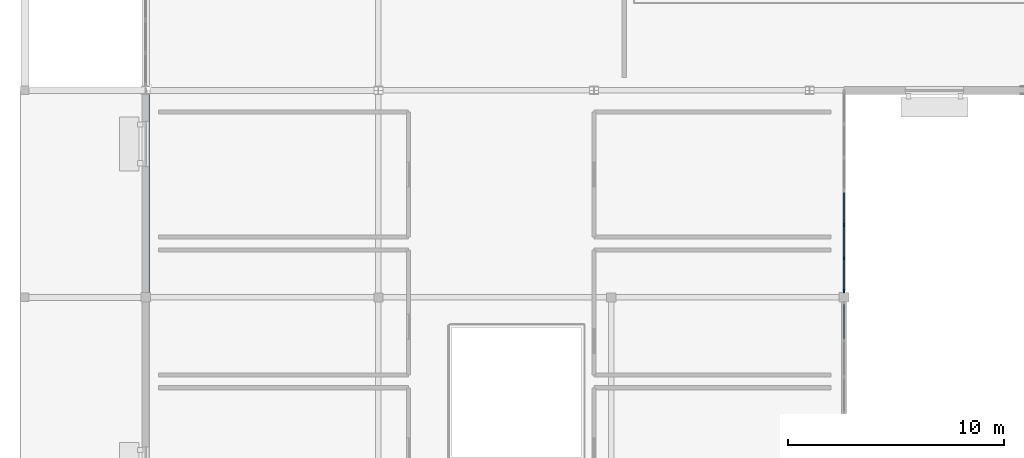
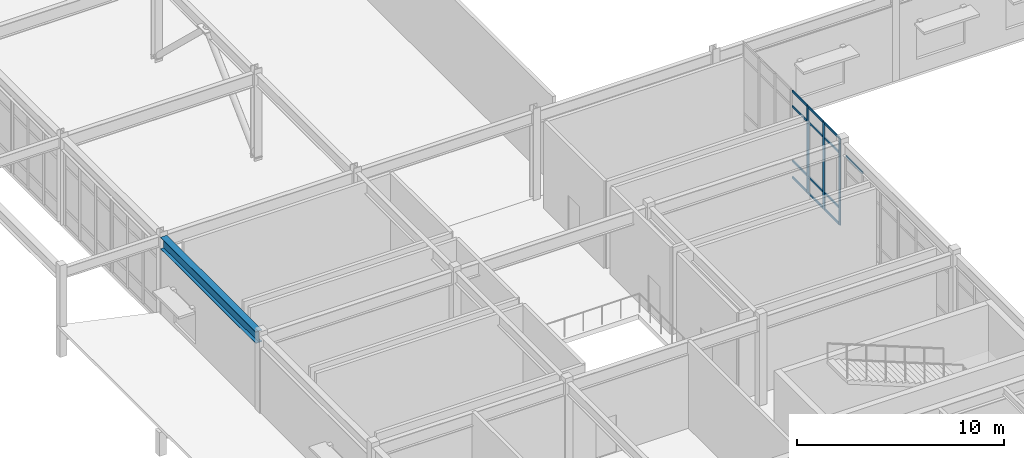
# One storey, part 11 of 72: 16 members, 1 beam, 2 elements without a shape of their own.
"""IFC4 building model written with IfcOpenShell, lengths in metres."""

from ifc_helpers import new_model, si_unit, direction, frame, origin, origin_2d, place, context, subcontext, project, spatial, rectangle, i_section, extrude, material, material_profile, profile_set, type_object, element, aggregate, save


model = new_model("IFC4")

# Units and contexts
model_context = context("Model", 3, precision=1e-05, world=origin(), true_north=direction((0.0, 1.0)))
body_context = subcontext(model_context, "Body", "Model", "MODEL_VIEW")
ifc_project = project(units=[si_unit("LENGTHUNIT", "METRE"), si_unit("AREAUNIT", "SQUARE_METRE"), si_unit("VOLUMEUNIT", "CUBIC_METRE"), si_unit("PLANEANGLEUNIT", "RADIAN"), si_unit("MASSUNIT", "GRAM", prefix="KILO")], contexts=[model_context])

# Site, building, storey
site_placement = place(None, origin())
site = spatial("IfcSite", under=ifc_project, at=site_placement, CompositionType="ELEMENT")
building_placement = place(site_placement, origin())
building = spatial("IfcBuilding", under=site, at=building_placement, Name="Veldera Park Congress Hotel", CompositionType="ELEMENT")
storey_placement = place(building_placement, frame((0.0, 0.0, 5.39990234375)))
storey = spatial("IfcBuildingStorey", under=building, at=storey_placement, Name="L01", CompositionType="ELEMENT", Elevation=5.39990234375)

# Beam
ifc_material_1 = material(Name="Steel ASTM A992 Gr.50", Category="steel")
ifc_material_profile_1 = material_profile(ifc_material_1, i_section(OverallWidth=0.35498046875, OverallDepth=0.696044921875, WebThickness=0.015380859375, FlangeThickness=0.02490234375, at=origin_2d()), Name="W27X146")
ifc_profile_set_1 = profile_set([ifc_material_profile_1], Name="Steel ASTM A992 Gr.50")
beam_type = type_object("IfcBeamType", Name="BM-W27E", PredefinedType="BEAM", material=ifc_profile_set_1)
beam_placement = place(storey_placement, frame((-78.199951171875, -30.375, 4.781982421875), z_axis=(0.0, 1.0, 0.0), x_axis=(-1.0, 0.0, 0.0)))
element("IfcBeam", 1, at=beam_placement, inside=storey, type_object=beam_type, Name="L01 Girder BM-W27E 667", PredefinedType="BEAM", context=body_context, shape_type="SweptSolid", body=[
    extrude(i_section(OverallWidth=0.35498046875, OverallDepth=0.696044921875, WebThickness=0.015380859375, FlangeThickness=0.02490234375, at=origin_2d()), origin(), (0.0, 0.0, 1.0), 9.1875),
])

# Curtain wall, members
ifc_material_2 = material(Name="Low-E Triple Insulating Glass Unit (SHGC 0.22)", Category="glass")
curtain_wall_type = type_object("IfcCurtainWallType", Name="CW-SPA", PredefinedType="NOTDEFINED", material=ifc_material_2)
curtain_wall_1_placement = place(storey_placement, origin())
curtain_wall_1 = element("IfcCurtainWall", 2, at=curtain_wall_1_placement, inside=storey, type_object=curtain_wall_type, Name="L01 Curtain Wall CW3-V3E-L01-043", PredefinedType="NOTDEFINED")
ifc_material_3 = material(Name="Anodised Aluminium Alloy 6063-T6", Category="aluminium")
ifc_material_profile_2 = material_profile(ifc_material_3, rectangle(XDim=0.06005859375, YDim=0.159912109375, at=origin_2d()), Name="ALU 60x160")
ifc_profile_set_2 = profile_set([ifc_material_profile_2], Name="Anodised Aluminium Alloy 6063-T6")
member_type_1 = type_object("IfcMemberType", Name="CWM-160", PredefinedType="MULLION", material=ifc_profile_set_2)
member_1_placement = place(storey_placement, frame((-45.800048828125, -30.304931640625, 0.0), z_axis=(0.0, 0.0, 1.0), x_axis=(-1.0, 0.0, 0.0)))
member_1 = element("IfcMember", 3, at=member_1_placement, type_object=member_type_1, Name="CW-SPA mullion 1", PredefinedType="MULLION", context=body_context, shape_type="SweptSolid", body=[
    extrude(rectangle(XDim=0.06005859375, YDim=0.159912109375, at=origin_2d()), origin(), (0.0, 0.0, 1.0), 5.130126953125),
])
member_2_placement = place(storey_placement, frame((-45.800048828125, -28.78662109375, 0.0), z_axis=(0.0, 0.0, 1.0), x_axis=(-1.0, 0.0, 0.0)))
member_2 = element("IfcMember", 4, at=member_2_placement, type_object=member_type_1, Name="CW-SPA mullion 2", PredefinedType="MULLION", context=body_context, shape_type="SweptSolid", body=[
    extrude(rectangle(XDim=0.06005859375, YDim=0.159912109375, at=origin_2d()), origin(), (0.0, 0.0, 1.0), 5.130126953125),
])
member_3_placement = place(storey_placement, frame((-45.800048828125, -27.23828125, 0.0), z_axis=(0.0, 0.0, 1.0), x_axis=(-1.0, 0.0, 0.0)))
member_3 = element("IfcMember", 5, at=member_3_placement, type_object=member_type_1, Name="CW-SPA mullion 3", PredefinedType="MULLION", context=body_context, shape_type="SweptSolid", body=[
    extrude(rectangle(XDim=0.06005859375, YDim=0.159912109375, at=origin_2d()), origin(), (0.0, 0.0, 1.0), 5.130126953125),
])

# Curtain wall, member
curtain_wall_2_placement = place(storey_placement, origin())
curtain_wall_2 = element("IfcCurtainWall", 6, at=curtain_wall_2_placement, inside=storey, type_object=curtain_wall_type, Name="L01 Curtain Wall CW3-V3E-L01-042", PredefinedType="NOTDEFINED")
ifc_material_profile_3 = material_profile(ifc_material_3, rectangle(XDim=0.06005859375, YDim=0.1201171875, at=origin_2d()), Name="ALU 60x120")
ifc_profile_set_3 = profile_set([ifc_material_profile_3], Name="Anodised Aluminium Alloy 6063-T6")
member_type_2 = type_object("IfcMemberType", Name="CWT-120", PredefinedType="USERDEFINED", material=ifc_profile_set_3)
member_4_placement = place(storey_placement, frame((-45.800048828125, -32.541748046875, 4.402099609375), z_axis=(0.0, 1.0, 0.0), x_axis=(-1.0, 0.0, 0.0)))
member_4 = element("IfcMember", 7, at=member_4_placement, type_object=member_type_2, Name="CW-SPA transom 3.4", ObjectType="TRANSOM", PredefinedType="USERDEFINED", context=body_context, shape_type="SweptSolid", body=[
    extrude(rectangle(XDim=0.06005859375, YDim=0.1201171875, at=origin_2d()), origin(), (0.0, 0.0, 1.0), 1.61669921875),
])
aggregate(curtain_wall_2, [member_4])

# Member
member_5_placement = place(storey_placement, frame((-45.800048828125, -30.27490234375, 0.030029296875), z_axis=(0.0, 1.0, 0.0), x_axis=(-1.0, 0.0, 0.0)))
member_5 = element("IfcMember", 8, at=member_5_placement, type_object=member_type_2, Name="CW-SPA transom 1.1", ObjectType="TRANSOM", PredefinedType="USERDEFINED", context=body_context, shape_type="SweptSolid", body=[
    extrude(rectangle(XDim=0.06005859375, YDim=0.1201171875, at=origin_2d()), origin(), (0.0, 0.0, 1.0), 1.458251953125),
])

member_6_placement = place(storey_placement, frame((-45.800048828125, -30.27490234375, 1.0), z_axis=(0.0, 1.0, 0.0), x_axis=(-1.0, 0.0, 0.0)))
member_6 = element("IfcMember", 9, at=member_6_placement, type_object=member_type_2, Name="CW-SPA transom 1.2", ObjectType="TRANSOM", PredefinedType="USERDEFINED", context=body_context, shape_type="SweptSolid", body=[
    extrude(rectangle(XDim=0.06005859375, YDim=0.1201171875, at=origin_2d()), origin(), (0.0, 0.0, 1.0), 1.458251953125),
])

member_7_placement = place(storey_placement, frame((-45.800048828125, -30.27490234375, 4.22998046875), z_axis=(0.0, 1.0, 0.0), x_axis=(-1.0, 0.0, 0.0)))
member_7 = element("IfcMember", 10, at=member_7_placement, type_object=member_type_2, Name="CW-SPA transom 1.3", ObjectType="TRANSOM", PredefinedType="USERDEFINED", context=body_context, shape_type="SweptSolid", body=[
    extrude(rectangle(XDim=0.06005859375, YDim=0.1201171875, at=origin_2d()), origin(), (0.0, 0.0, 1.0), 1.458251953125),
])

member_8_placement = place(storey_placement, frame((-45.800048828125, -30.27490234375, 5.10009765625), z_axis=(0.0, 1.0, 0.0), x_axis=(-1.0, 0.0, 0.0)))
member_8 = element("IfcMember", 11, at=member_8_placement, type_object=member_type_2, Name="CW-SPA transom 1.4", ObjectType="TRANSOM", PredefinedType="USERDEFINED", context=body_context, shape_type="SweptSolid", body=[
    extrude(rectangle(XDim=0.06005859375, YDim=0.1201171875, at=origin_2d()), origin(), (0.0, 0.0, 1.0), 1.458251953125),
])

member_9_placement = place(storey_placement, frame((-45.800048828125, -28.756591796875, 0.030029296875), z_axis=(0.0, 1.0, 0.0), x_axis=(-1.0, 0.0, 0.0)))
member_9 = element("IfcMember", 12, at=member_9_placement, type_object=member_type_2, Name="CW-SPA transom 2.1", ObjectType="TRANSOM", PredefinedType="USERDEFINED", context=body_context, shape_type="SweptSolid", body=[
    extrude(rectangle(XDim=0.06005859375, YDim=0.1201171875, at=origin_2d()), origin(), (0.0, 0.0, 1.0), 1.48828125),
])

member_10_placement = place(storey_placement, frame((-45.800048828125, -28.756591796875, 1.0), z_axis=(0.0, 1.0, 0.0), x_axis=(-1.0, 0.0, 0.0)))
member_10 = element("IfcMember", 13, at=member_10_placement, type_object=member_type_2, Name="CW-SPA transom 2.2", ObjectType="TRANSOM", PredefinedType="USERDEFINED", context=body_context, shape_type="SweptSolid", body=[
    extrude(rectangle(XDim=0.06005859375, YDim=0.1201171875, at=origin_2d()), origin(), (0.0, 0.0, 1.0), 1.48828125),
])

member_11_placement = place(storey_placement, frame((-45.800048828125, -28.756591796875, 4.22998046875), z_axis=(0.0, 1.0, 0.0), x_axis=(-1.0, 0.0, 0.0)))
member_11 = element("IfcMember", 14, at=member_11_placement, type_object=member_type_2, Name="CW-SPA transom 2.3", ObjectType="TRANSOM", PredefinedType="USERDEFINED", context=body_context, shape_type="SweptSolid", body=[
    extrude(rectangle(XDim=0.06005859375, YDim=0.1201171875, at=origin_2d()), origin(), (0.0, 0.0, 1.0), 1.48828125),
])

member_12_placement = place(storey_placement, frame((-45.800048828125, -28.756591796875, 5.10009765625), z_axis=(0.0, 1.0, 0.0), x_axis=(-1.0, 0.0, 0.0)))
member_12 = element("IfcMember", 15, at=member_12_placement, type_object=member_type_2, Name="CW-SPA transom 2.4", ObjectType="TRANSOM", PredefinedType="USERDEFINED", context=body_context, shape_type="SweptSolid", body=[
    extrude(rectangle(XDim=0.06005859375, YDim=0.1201171875, at=origin_2d()), origin(), (0.0, 0.0, 1.0), 1.48828125),
])

member_13_placement = place(storey_placement, frame((-45.800048828125, -27.208251953125, 0.030029296875), z_axis=(0.0, 1.0, 0.0), x_axis=(-1.0, 0.0, 0.0)))
member_13 = element("IfcMember", 16, at=member_13_placement, type_object=member_type_2, Name="CW-SPA transom 3.1", ObjectType="TRANSOM", PredefinedType="USERDEFINED", context=body_context, shape_type="SweptSolid", body=[
    extrude(rectangle(XDim=0.06005859375, YDim=0.1201171875, at=origin_2d()), origin(), (0.0, 0.0, 1.0), 1.458251953125),
])

member_14_placement = place(storey_placement, frame((-45.800048828125, -27.208251953125, 1.0), z_axis=(0.0, 1.0, 0.0), x_axis=(-1.0, 0.0, 0.0)))
member_14 = element("IfcMember", 17, at=member_14_placement, type_object=member_type_2, Name="CW-SPA transom 3.2", ObjectType="TRANSOM", PredefinedType="USERDEFINED", context=body_context, shape_type="SweptSolid", body=[
    extrude(rectangle(XDim=0.06005859375, YDim=0.1201171875, at=origin_2d()), origin(), (0.0, 0.0, 1.0), 1.458251953125),
])

member_15_placement = place(storey_placement, frame((-45.800048828125, -27.208251953125, 4.22998046875), z_axis=(0.0, 1.0, 0.0), x_axis=(-1.0, 0.0, 0.0)))
member_15 = element("IfcMember", 18, at=member_15_placement, type_object=member_type_2, Name="CW-SPA transom 3.3", ObjectType="TRANSOM", PredefinedType="USERDEFINED", context=body_context, shape_type="SweptSolid", body=[
    extrude(rectangle(XDim=0.06005859375, YDim=0.1201171875, at=origin_2d()), origin(), (0.0, 0.0, 1.0), 1.458251953125),
])

member_16_placement = place(storey_placement, frame((-45.800048828125, -27.208251953125, 5.10009765625), z_axis=(0.0, 1.0, 0.0), x_axis=(-1.0, 0.0, 0.0)))
member_16 = element("IfcMember", 19, at=member_16_placement, type_object=member_type_2, Name="CW-SPA transom 3.4", ObjectType="TRANSOM", PredefinedType="USERDEFINED", context=body_context, shape_type="SweptSolid", body=[
    extrude(rectangle(XDim=0.06005859375, YDim=0.1201171875, at=origin_2d()), origin(), (0.0, 0.0, 1.0), 1.458251953125),
])

aggregate(curtain_wall_1, [member_1, member_2, member_3, member_5, member_6, member_7, member_8, member_9, member_10, member_11, member_12, member_13, member_14, member_15, member_16])

save(model, "model.ifc")
